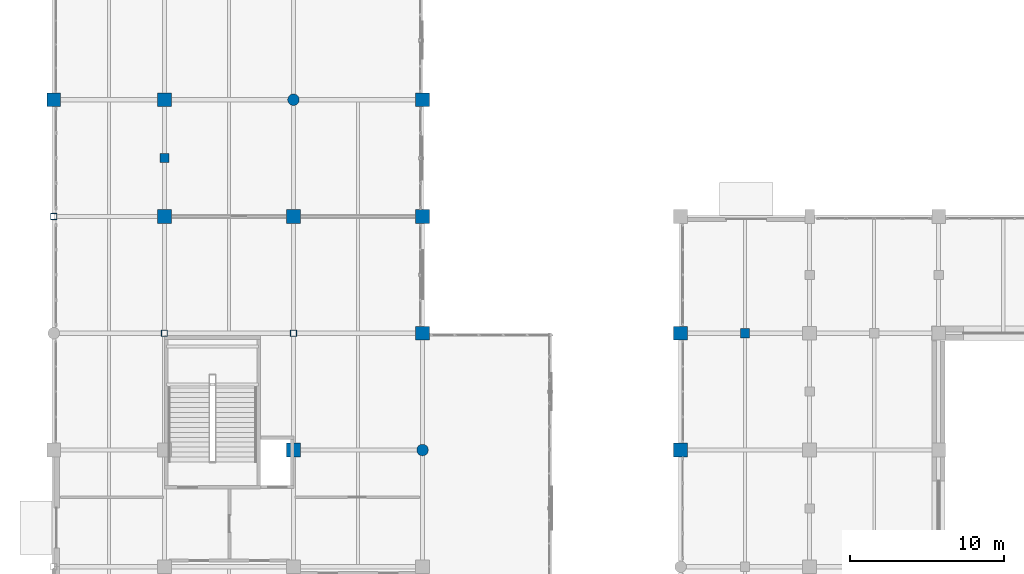
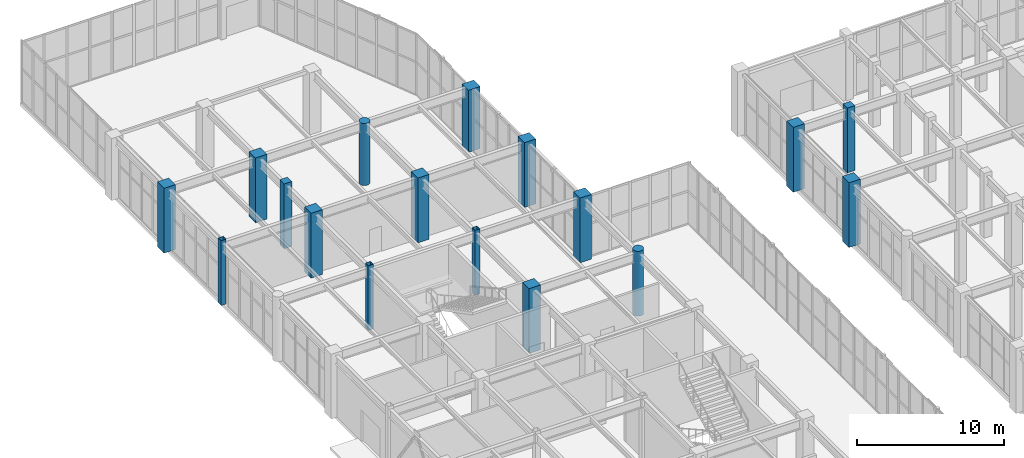
# One storey, part 5 of 139: 17 columns.
"""IFC4 building model written with IfcOpenShell, lengths in metres."""

from ifc_helpers import new_model, si_unit, direction, frame, origin, origin_2d, place, context, subcontext, project, spatial, rectangle, hollow_rectangle, circle, extrude, material, material_profile, profile_set, type_object, element, save


model = new_model("IFC4")

# Units and contexts
model_context = context("Model", 3, precision=1e-05, world=origin(), true_north=direction((0.0, 1.0)))
body_context = subcontext(model_context, "Body", "Model", "MODEL_VIEW")
ifc_project = project(units=[si_unit("LENGTHUNIT", "METRE"), si_unit("AREAUNIT", "SQUARE_METRE"), si_unit("VOLUMEUNIT", "CUBIC_METRE"), si_unit("PLANEANGLEUNIT", "RADIAN"), si_unit("MASSUNIT", "GRAM", prefix="KILO")], contexts=[model_context])

# Site, building, storey
site_placement = place(None, origin())
site = spatial("IfcSite", under=ifc_project, at=site_placement, CompositionType="ELEMENT")
building_placement = place(site_placement, origin())
building = spatial("IfcBuilding", under=site, at=building_placement, Name="Xicomal Pleat Aquarium", CompositionType="ELEMENT")
storey_placement = place(building_placement, origin())
storey = spatial("IfcBuildingStorey", under=building, at=storey_placement, Name="L01", CompositionType="ELEMENT", Elevation=0.0)

# Columns
ifc_material_1 = material(Name="Concrete C40/50", Category="concrete")
ifc_material_profile_1 = material_profile(ifc_material_1, rectangle(XDim=0.60009765625, YDim=0.60009765625, at=origin_2d()), Name="RC 600x600")
ifc_profile_set_1 = profile_set([ifc_material_profile_1], Name="Concrete C40/50")
column_type_1 = type_object("IfcColumnType", Name="COL-RC-600x600", PredefinedType="COLUMN", material=ifc_profile_set_1)
for number, where, z_axis, x_axis, name in (
    (1, (48.0, 76.0, 0.0), (0.0, 0.0, 1.0), (1.0, 0.0, 0.0), "L01 intermediate support column SUB-05"),
    (2, (10.199951171875, 87.39990234375, 0.0), (0.0, 0.0, 1.0), (1.0, 0.0, 0.0), "L01 intermediate support column SUB-33"),
):
    element("IfcColumn", number, at=place(storey_placement, frame(where, z_axis=z_axis, x_axis=x_axis)), inside=storey, type_object=column_type_1, Name=name, PredefinedType="COLUMN", context=body_context, shape_type="SweptSolid", body=[
        extrude(rectangle(XDim=0.60009765625, YDim=0.60009765625, at=origin_2d()), origin(), (0.0, 0.0, 1.0), 5.39990234375),
    ])
ifc_material_2 = material(Name="Concrete C40/50", Category="concrete")
ifc_material_profile_2 = material_profile(ifc_material_2, rectangle(XDim=0.89990234375, YDim=0.89990234375, at=origin_2d()), Name="RC 900x900")
ifc_profile_set_2 = profile_set([ifc_material_profile_2], Name="Concrete C40/50")
column_type_2 = type_object("IfcColumnType", Name="COL-RC-900x900", PredefinedType="COLUMN", material=ifc_profile_set_2)
for number, where, z_axis, x_axis, name in (
    (3, (3.0, 91.199951171875, 0.0), (0.0, 0.0, 1.0), (1.0, 0.0, 0.0), "L01 column 01/N"),
    (4, (10.199951171875, 83.60009765625, 0.0), (0.0, 0.0, 1.0), (1.0, 0.0, 0.0), "L01 column 02/M"),
    (5, (10.199951171875, 91.199951171875, 0.0), (0.0, 0.0, 1.0), (1.0, 0.0, 0.0), "L01 column 02/N"),
    (6, (18.60009765625, 68.39990234375, 0.0), (0.0, 0.0, 1.0), (1.0, 0.0, 0.0), "L01 column 03/K"),
    (7, (18.60009765625, 83.60009765625, 0.0), (0.0, 0.0, 1.0), (1.0, 0.0, 0.0), "L01 column 03/M"),
    (8, (27.0, 76.0, 0.0), (0.0, 0.0, 1.0), (1.0, 0.0, 0.0), "L01 column 04/L"),
    (9, (27.0, 83.60009765625, 0.0), (0.0, 0.0, 1.0), (1.0, 0.0, 0.0), "L01 column 04/M"),
):
    element("IfcColumn", number, at=place(storey_placement, frame(where, z_axis=z_axis, x_axis=x_axis)), inside=storey, type_object=column_type_2, Name=name, PredefinedType="COLUMN", context=body_context, shape_type="SweptSolid", body=[
        extrude(rectangle(XDim=0.89990234375, YDim=0.89990234375, at=origin_2d()), origin(), (0.0, 0.0, 1.0), 5.39990234375),
    ])
column_1_placement = place(storey_placement, frame((27.0, 91.199951171875, 0.0), z_axis=(0.0, 0.0, 1.0), x_axis=(1.0, 0.0, 0.0)))
element("IfcColumn", 10, at=column_1_placement, inside=storey, type_object=column_type_2, Name="L01 column 04/N", PredefinedType="COLUMN", context=body_context, shape_type="SweptSolid", body=[
    extrude(rectangle(XDim=0.89990234375, YDim=0.89990234375, at=origin_2d()), origin(), (0.0, 0.0, 1.0), 5.159912109375),
])
for number, where, z_axis, x_axis, name in (
    (11, (43.800048828125, 68.39990234375, 0.0), (0.0, 0.0, 1.0), (1.0, 0.0, 0.0), "L01 column 06/K"),
    (12, (43.800048828125, 76.0, 0.0), (0.0, 0.0, 1.0), (1.0, 0.0, 0.0), "L01 column 06/L"),
):
    element("IfcColumn", number, at=place(storey_placement, frame(where, z_axis=z_axis, x_axis=x_axis)), inside=storey, type_object=column_type_2, Name=name, PredefinedType="COLUMN", context=body_context, shape_type="SweptSolid", body=[
        extrude(rectangle(XDim=0.89990234375, YDim=0.89990234375, at=origin_2d()), origin(), (0.0, 0.0, 1.0), 5.39990234375),
    ])
ifc_material_3 = material(Name="Concrete C40/50", Category="concrete")
ifc_material_profile_3 = material_profile(ifc_material_3, circle(Radius=0.375, at=origin_2d()), Name="RCC D750")
ifc_profile_set_3 = profile_set([ifc_material_profile_3], Name="Concrete C40/50")
column_type_3 = type_object("IfcColumnType", Name="COL-RCC-D750", PredefinedType="COLUMN", material=ifc_profile_set_3)
column_2_placement = place(storey_placement, frame((18.60009765625, 91.199951171875, 0.0), z_axis=(0.0, 0.0, 1.0), x_axis=(1.0, 0.0, 0.0)))
element("IfcColumn", 13, at=column_2_placement, inside=storey, type_object=column_type_3, Name="L01 column 03/N", PredefinedType="COLUMN", context=body_context, shape_type="SweptSolid", body=[
    extrude(circle(Radius=0.375, at=origin_2d()), origin(), (0.0, 0.0, 1.0), 5.159912109375),
])
column_3_placement = place(storey_placement, frame((27.0, 68.39990234375, 0.0), z_axis=(0.0, 0.0, 1.0), x_axis=(1.0, 0.0, 0.0)))
element("IfcColumn", 14, at=column_3_placement, inside=storey, type_object=column_type_3, Name="L01 column 04/K", PredefinedType="COLUMN", context=body_context, shape_type="SweptSolid", body=[
    extrude(circle(Radius=0.375, at=origin_2d()), origin(), (0.0, 0.0, 1.0), 5.39990234375),
])
ifc_material_4 = material(Name="Structural steel A500 Gr C", Category="steel")
ifc_material_profile_4 = material_profile(ifc_material_4, hollow_rectangle(XDim=0.39990234375, YDim=0.39990234375, WallThickness=0.01611328125, at=origin_2d()), Name="OR 400x400x16")
ifc_profile_set_4 = profile_set([ifc_material_profile_4], Name="Structural steel A500 Gr C")
column_type_4 = type_object("IfcColumnType", Name="COL-STL-OR400", PredefinedType="COLUMN", material=ifc_profile_set_4)
for number, where, z_axis, x_axis, name in (
    (15, (3.0, 83.60009765625, 0.0), (0.0, 0.0, 1.0), (1.0, 0.0, 0.0), "L01 column 01/M"),
    (16, (10.199951171875, 76.0, 0.0), (0.0, 0.0, 1.0), (1.0, 0.0, 0.0), "L01 column 02/L"),
    (17, (18.60009765625, 76.0, 0.0), (0.0, 0.0, 1.0), (1.0, 0.0, 0.0), "L01 column 03/L"),
):
    element("IfcColumn", number, at=place(storey_placement, frame(where, z_axis=z_axis, x_axis=x_axis)), inside=storey, type_object=column_type_4, Name=name, PredefinedType="COLUMN", context=body_context, shape_type="SweptSolid", body=[
        extrude(hollow_rectangle(XDim=0.39990234375, YDim=0.39990234375, WallThickness=0.01611328125, at=origin_2d()), origin(), (0.0, 0.0, 1.0), 5.39990234375),
    ])

save(model, "model.ifc")
